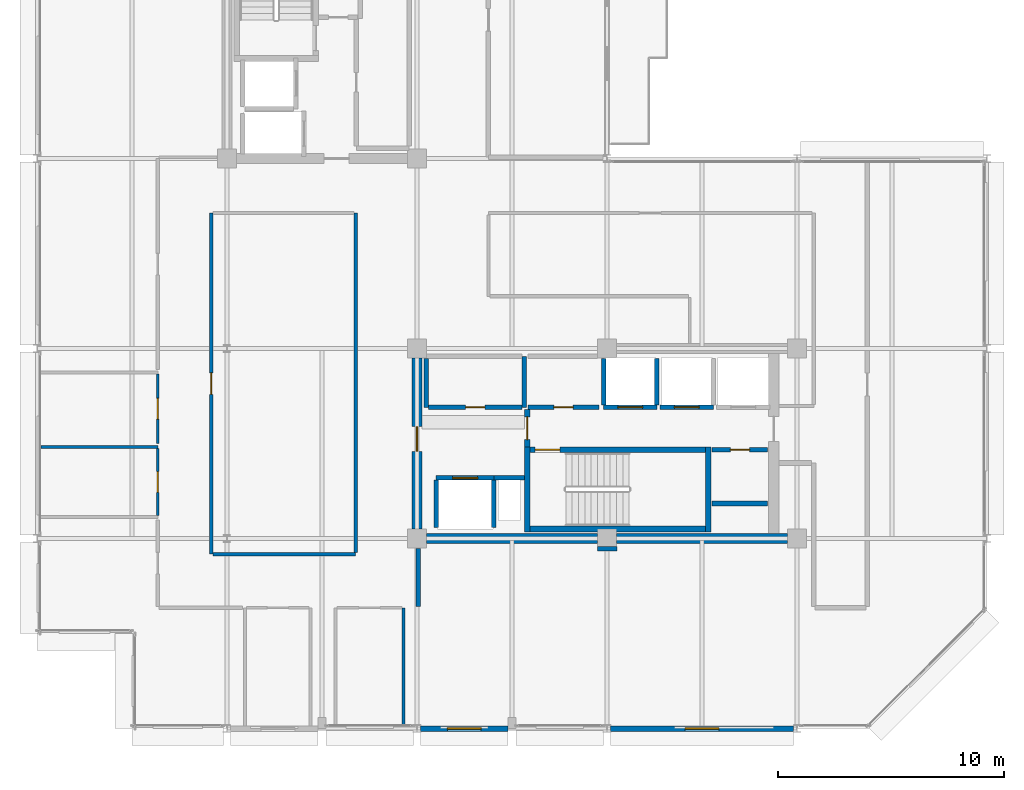
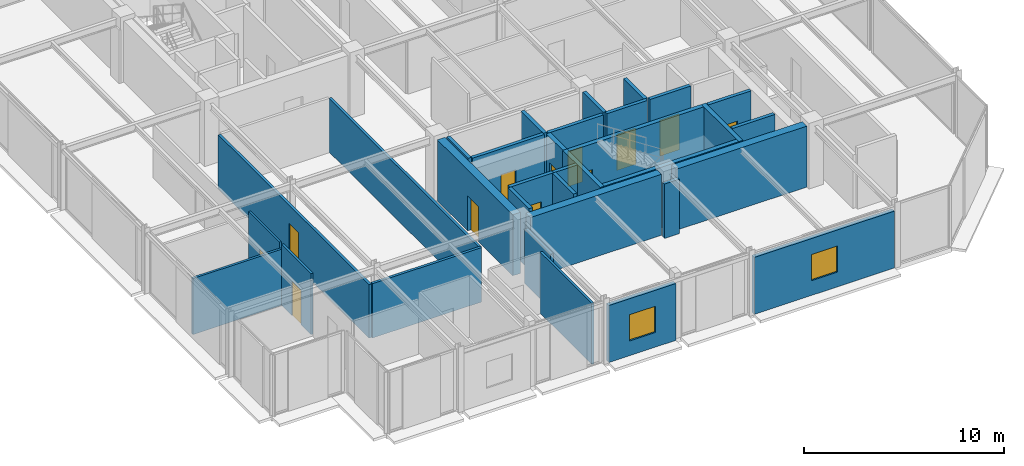
# One storey, part 21 of 27: 33 walls, 12 doors, 2 windows, 14 openings.
"""IFC4 building model written with IfcOpenShell, lengths in metres."""

from ifc_helpers import new_model, si_unit, direction, frame, frame_2d, origin, place, context, subcontext, project, spatial, rectangle, extrude, material, layer, layer_set, type_object, element, fill, save


model = new_model("IFC4")

# Units and contexts
model_context = context("Model", 3, precision=1e-05, world=origin(), true_north=direction((0.0, 1.0)))
body_context = subcontext(model_context, "Body", "Model", "MODEL_VIEW")
ifc_project = project(units=[si_unit("LENGTHUNIT", "METRE"), si_unit("AREAUNIT", "SQUARE_METRE"), si_unit("VOLUMEUNIT", "CUBIC_METRE"), si_unit("PLANEANGLEUNIT", "RADIAN"), si_unit("MASSUNIT", "GRAM", prefix="KILO")], contexts=[model_context])

# Site, building, storey
site_placement = place(None, origin())
site = spatial("IfcSite", under=ifc_project, at=site_placement, CompositionType="ELEMENT")
building_placement = place(site_placement, origin())
building = spatial("IfcBuilding", under=site, at=building_placement, Name="Nerrivon Quay Data Exchange", CompositionType="ELEMENT")
storey_placement = place(building_placement, frame((0.0, 0.0, 278.199951171875)))
storey = spatial("IfcBuildingStorey", under=building, at=storey_placement, Name="L66", CompositionType="ELEMENT", Elevation=278.199951171875)

# Wall, opening, window
ifc_material_1 = material(Name="Architectural terracotta precast concrete N50 (50 MPa)", Category="masonry")
ifc_layer_1 = layer(ifc_material_1, 0.239990234375)
ifc_layer_set_1 = layer_set([ifc_layer_1], Name="Architectural terracotta precast concrete N50 (50 MPa)")
wall_type_1 = type_object("IfcWallType", Name="EW-PREC-240", PredefinedType="STANDARD", material=ifc_layer_set_1)
wall_1_placement = place(storey_placement, frame((33.444580078125, 0.0, 0.0), z_axis=(0.0, 0.0, 1.0), x_axis=(-1.0, 0.0, 0.0)))
wall_1 = element("IfcWall", 1, at=wall_1_placement, inside=storey, type_object=wall_type_1, Name="L66 Podium Precast Spandrel Wall 3", PredefinedType="STANDARD", context=body_context, shape_type="SweptSolid", body=[
    extrude(rectangle(XDim=8.089111328125, YDim=0.239990234375, at=frame_2d((4.04443359375, 0.0))), origin(), (0.0, 0.0, 1.0), 3.47509765625),
])
opening_1_placement = place(wall_1_placement, frame((3.29443359375, 0.0, 0.89990234375)))
opening_1 = element("IfcOpeningElement", 2, at=opening_1_placement, cuts=wall_1, Name="Opening WN4", PredefinedType="OPENING", context=body_context, shape_type="SweptSolid", body=[
    extrude(rectangle(XDim=1.5, YDim=1.60009765625, at=frame_2d((0.75, 0.800048828125))), frame((0.0, 0.1298828125, 0.0), z_axis=(0.0, -1.0, 0.0), x_axis=(1.0, 0.0, 0.0)), (0.0, 0.0, 1.0), 0.260009765625),
])
ifc_material_2 = material(Name="Double-glazed low-E solar control glass", Category="glass")
window_type = type_object("IfcWindowType", Name="WIN-W4-1500x1600", PartitioningType="SINGLE_PANEL", PredefinedType="WINDOW", material=ifc_material_2)
window_1_placement = place(opening_1_placement, origin())
window_1 = element("IfcWindow", 3, at=window_1_placement, inside=storey, type_object=window_type, Name="L66 Solar Facade Window 3", OverallHeight=1.60009765625, OverallWidth=1.5, PartitioningType="SINGLE_PANEL", PredefinedType="WINDOW", context=body_context, shape_type="SweptSolid", body=[
    extrude(rectangle(XDim=1.5, YDim=1.60009765625, at=frame_2d((0.75, 0.800048828125))), frame((0.0, 0.030029296875, 0.0), z_axis=(0.0, -1.0, 0.0), x_axis=(1.0, 0.0, 0.0)), (0.0, 0.0, 1.0), 0.06005859375),
])
fill(opening_1, window_1)

wall_2_placement = place(storey_placement, frame((20.824951171875, 0.0, 0.0), z_axis=(0.0, 0.0, 1.0), x_axis=(-1.0, 0.0, 0.0)))
wall_2 = element("IfcWall", 4, at=wall_2_placement, inside=storey, type_object=wall_type_1, Name="L66 Podium Precast Spandrel Wall 5", PredefinedType="STANDARD", context=body_context, shape_type="SweptSolid", body=[
    extrude(rectangle(XDim=3.869384765625, YDim=0.239990234375, at=frame_2d((1.9345703125, 0.0))), origin(), (0.0, 0.0, 1.0), 3.47509765625),
])
opening_2_placement = place(wall_2_placement, frame((1.184814453125, 0.0, 0.89990234375)))
opening_2 = element("IfcOpeningElement", 5, at=opening_2_placement, cuts=wall_2, Name="Opening WN4", PredefinedType="OPENING", context=body_context, shape_type="SweptSolid", body=[
    extrude(rectangle(XDim=1.5, YDim=1.60009765625, at=frame_2d((0.75, 0.800048828125))), frame((0.0, 0.1298828125, 0.0), z_axis=(0.0, -1.0, 0.0), x_axis=(1.0, 0.0, 0.0)), (0.0, 0.0, 1.0), 0.260009765625),
])
window_2_placement = place(opening_2_placement, origin())
window_2 = element("IfcWindow", 6, at=window_2_placement, inside=storey, type_object=window_type, Name="L66 Solar Facade Window 5", OverallHeight=1.60009765625, OverallWidth=1.5, PartitioningType="SINGLE_PANEL", PredefinedType="WINDOW", context=body_context, shape_type="SweptSolid", body=[
    extrude(rectangle(XDim=1.5, YDim=1.60009765625, at=frame_2d((0.75, 0.800048828125))), frame((0.0, 0.030029296875, 0.0), z_axis=(0.0, -1.0, 0.0), x_axis=(1.0, 0.0, 0.0)), (0.0, 0.0, 1.0), 0.06005859375),
])
fill(opening_2, window_2)

# Walls
ifc_material_3 = material(Name="Concrete N50 (50 MPa)", Category="concrete")
ifc_layer_2 = layer(ifc_material_3, 0.449951171875)
ifc_layer_set_2 = layer_set([ifc_layer_2], Name="Concrete N50 (50 MPa)")
wall_type_2 = type_object("IfcWallType", Name="WALL-CW-550", PredefinedType="SHEAR", material=ifc_layer_set_2)
wall_3_placement = place(storey_placement, frame((17.22509765625, 8.39990234375, 0.0), z_axis=(0.0, 0.0, 1.0), x_axis=(1.0, 0.0, 0.0)))
element("IfcWall", 7, at=wall_3_placement, inside=storey, type_object=wall_type_2, Name="L66 East Split-Core Shear Wall ECW-S1", PredefinedType="SHEAR", context=body_context, shape_type="SweptSolid", body=[
    extrude(rectangle(XDim=7.5498046875, YDim=0.449951171875, at=frame_2d((3.77490234375, 0.0))), origin(), (0.0, 0.0, 1.0), 3.72509765625),
])
wall_4_placement = place(storey_placement, frame((25.625, 8.39990234375, 0.0), z_axis=(0.0, 0.0, 1.0), x_axis=(1.0, 0.0, 0.0)))
element("IfcWall", 8, at=wall_4_placement, inside=storey, type_object=wall_type_2, Name="L66 East Split-Core Shear Wall ECW-S2", PredefinedType="SHEAR", context=body_context, shape_type="SweptSolid", body=[
    extrude(rectangle(XDim=7.550048828125, YDim=0.449951171875, at=frame_2d((3.77490234375, 0.0))), origin(), (0.0, 0.0, 1.0), 3.72509765625),
])

# Wall, opening, door
wall_5_placement = place(storey_placement, frame((16.800048828125, 8.824951171875, 0.0), z_axis=(0.0, 0.0, 1.0), x_axis=(0.0, 1.0, 0.0)))
wall_5 = element("IfcWall", 9, at=wall_5_placement, inside=storey, type_object=wall_type_2, Name="L66 East Split-Core Shear Wall ECW-W1", PredefinedType="SHEAR", context=body_context, shape_type="SweptSolid", body=[
    extrude(rectangle(XDim=7.550048828125, YDim=0.449951171875, at=frame_2d((3.77490234375, 0.0))), origin(), (0.0, 0.0, 1.0), 3.72509765625),
])
opening_3_placement = place(wall_5_placement, frame((3.425048828125, 0.0, 0.0)))
opening_3 = element("IfcOpeningElement", 10, at=opening_3_placement, cuts=wall_5, Name="Opening FD-120", PredefinedType="OPENING", context=body_context, shape_type="SweptSolid", body=[
    extrude(rectangle(XDim=1.10009765625, YDim=2.14990234375, at=frame_2d((0.550048828125, 1.074951171875))), frame((0.0, 0.23486328125, 0.0), z_axis=(0.0, -1.0, 0.0), x_axis=(1.0, 0.0, 0.0)), (0.0, 0.0, 1.0), 0.469970703125),
])
ifc_material_4 = material(Name="Powder-coated galvanized steel sheet", Category="steel")
door_type_1 = type_object("IfcDoorType", Name="DR-FD120-1100", OperationType="NOTDEFINED", PredefinedType="DOOR", material=ifc_material_4)
door_1_placement = place(opening_3_placement, origin())
door_1 = element("IfcDoor", 11, at=door_1_placement, inside=storey, type_object=door_type_1, Name="L66 East Core Lobby Fire Door", OperationType="SINGLE_SWING_LEFT", OverallHeight=2.14990234375, OverallWidth=1.10009765625, PredefinedType="DOOR", context=body_context, shape_type="SweptSolid", body=[
    extrude(rectangle(XDim=1.10009765625, YDim=2.14990234375, at=frame_2d((0.550048828125, 1.074951171875))), frame((0.0, 0.02490234375, 0.0), z_axis=(0.0, -1.0, 0.0), x_axis=(1.0, 0.0, 0.0)), (0.0, 0.0, 1.0), 0.050048828125),
])
fill(opening_3, door_1)

# Wall
ifc_material_5 = material(Name="Gypsum plasterboard on cold-formed framing", Category="gypsum")
ifc_layer_3 = layer(ifc_material_5, 0.199951171875)
ifc_layer_set_3 = layer_set([ifc_layer_3], Name="Gypsum plasterboard on cold-formed framing")
wall_type_3 = type_object("IfcWallType", Name="WALL-FW-200", PredefinedType="PARTITIONING", material=ifc_layer_set_3)
wall_6_placement = place(storey_placement, frame((20.199951171875, 11.080078125, 0.0), z_axis=(0.0, 0.0, 1.0), x_axis=(1.0, 0.0, 0.0)))
element("IfcWall", 12, at=wall_6_placement, inside=storey, type_object=wall_type_3, Name="L66 East Core MEP Riser Shaft Wall N", PredefinedType="PARTITIONING", context=body_context, shape_type="SweptSolid", body=[
    extrude(rectangle(XDim=1.35009765625, YDim=0.199951171875, at=frame_2d((0.675048828125, 0.0))), origin(), (0.0, 0.0, 1.0), 3.72509765625),
])

# Wall, opening, door
wall_7_placement = place(storey_placement, frame((17.64990234375, 11.080078125, 0.0), z_axis=(0.0, 0.0, 1.0), x_axis=(1.0, 0.0, 0.0)))
wall_7 = element("IfcWall", 13, at=wall_7_placement, inside=storey, type_object=wall_type_3, Name="L66 Lift Front Wall FFL-2", PredefinedType="PARTITIONING", context=body_context, shape_type="SweptSolid", body=[
    extrude(rectangle(XDim=2.550048828125, YDim=0.199951171875, at=frame_2d((1.27490234375, 0.0))), origin(), (0.0, 0.0, 1.0), 3.72509765625),
])
opening_4_placement = place(wall_7_placement, frame((0.72509765625, 0.0, 0.0)))
opening_4 = element("IfcOpeningElement", 14, at=opening_4_placement, cuts=wall_7, Name="Opening LD-120", PredefinedType="OPENING", context=body_context, shape_type="SweptSolid", body=[
    extrude(rectangle(XDim=1.10009765625, YDim=2.199951171875, at=frame_2d((0.550048828125, 1.10009765625))), frame((0.0, 0.10986328125, 0.0), z_axis=(0.0, -1.0, 0.0), x_axis=(1.0, 0.0, 0.0)), (0.0, 0.0, 1.0), 0.219970703125),
])
door_type_2 = type_object("IfcDoorType", Name="DR-LIFT-LD120", OperationType="DOUBLE_DOOR_SLIDING", PredefinedType="DOOR", material=ifc_material_4)
door_2_placement = place(opening_4_placement, origin())
door_2 = element("IfcDoor", 15, at=door_2_placement, inside=storey, type_object=door_type_2, Name="L66 Lift Landing Sliding Door FFL-2", OperationType="DOUBLE_DOOR_SLIDING", OverallHeight=2.199951171875, OverallWidth=1.10009765625, PredefinedType="DOOR", context=body_context, shape_type="SweptSolid", body=[
    extrude(rectangle(XDim=1.10009765625, YDim=2.199951171875, at=frame_2d((0.550048828125, 1.10009765625))), frame((0.0, 0.02490234375, 0.0), z_axis=(0.0, -1.0, 0.0), x_axis=(1.0, 0.0, 0.0)), (0.0, 0.0, 1.0), 0.050048828125),
])
fill(opening_4, door_2)

# Walls
for number, where, z_axis, x_axis, name in (
    (16, (20.199951171875, 8.8798828125, 0.0), (0.0, 0.0, 1.0), (0.0, 1.0, 0.0), "L66 Lift Shaft Wall FFL-2 EAST"),
    (17, (17.64990234375, 8.8798828125, 0.0), (0.0, 0.0, 1.0), (0.0, 1.0, 0.0), "L66 Lift Shaft Wall FFL-2 WEST"),
):
    element("IfcWall", number, at=place(storey_placement, frame(where, z_axis=z_axis, x_axis=x_axis)), inside=storey, type_object=wall_type_3, Name=name, PredefinedType="PARTITIONING", context=body_context, shape_type="SweptSolid", body=[
        extrude(rectangle(XDim=2.10009765625, YDim=0.199951171875, at=frame_2d((1.050048828125, 0.0))), origin(), (0.0, 0.0, 1.0), 3.72509765625),
    ])

# Wall, opening, door
wall_8_placement = place(storey_placement, frame((25.050048828125, 14.199951171875, 0.0), z_axis=(0.0, 0.0, 1.0), x_axis=(1.0, 0.0, 0.0)))
wall_8 = element("IfcWall", 18, at=wall_8_placement, inside=storey, type_object=wall_type_3, Name="L66 Lift Front Wall PL7", PredefinedType="PARTITIONING", context=body_context, shape_type="SweptSolid", body=[
    extrude(rectangle(XDim=2.349853515625, YDim=0.199951171875, at=frame_2d((1.1748046875, 0.0))), origin(), (0.0, 0.0, 1.0), 3.72509765625),
])
opening_5_placement = place(wall_8_placement, frame((0.625, 0.0, 0.0)))
opening_5 = element("IfcOpeningElement", 19, at=opening_5_placement, cuts=wall_8, Name="Opening LD-120", PredefinedType="OPENING", context=body_context, shape_type="SweptSolid", body=[
    extrude(rectangle(XDim=1.10009765625, YDim=2.199951171875, at=frame_2d((0.550048828125, 1.10009765625))), frame((0.0, 0.10986328125, 0.0), z_axis=(0.0, -1.0, 0.0), x_axis=(1.0, 0.0, 0.0)), (0.0, 0.0, 1.0), 0.219970703125),
])
door_3_placement = place(opening_5_placement, origin())
door_3 = element("IfcDoor", 20, at=door_3_placement, inside=storey, type_object=door_type_2, Name="L66 Lift Landing Sliding Door PL7", OperationType="DOUBLE_DOOR_SLIDING", OverallHeight=2.199951171875, OverallWidth=1.10009765625, PredefinedType="DOOR", context=body_context, shape_type="SweptSolid", body=[
    extrude(rectangle(XDim=1.10009765625, YDim=2.199951171875, at=frame_2d((0.550048828125, 1.10009765625))), frame((0.0, 0.02490234375, 0.0), z_axis=(0.0, -1.0, 0.0), x_axis=(1.0, 0.0, 0.0)), (0.0, 0.0, 1.0), 0.050048828125),
])
fill(opening_5, door_3)

# Walls
for number, where, z_axis, x_axis, name in (
    (21, (27.39990234375, 14.300048828125, 0.0), (0.0, 0.0, 1.0), (0.0, 1.0, 0.0), "L66 Lift Shaft Wall PL7 EAST"),
    (22, (25.050048828125, 14.300048828125, 0.0), (0.0, 0.0, 1.0), (0.0, 1.0, 0.0), "L66 Lift Shaft Wall PL7 WEST"),
):
    element("IfcWall", number, at=place(storey_placement, frame(where, z_axis=z_axis, x_axis=x_axis)), inside=storey, type_object=wall_type_3, Name=name, PredefinedType="PARTITIONING", context=body_context, shape_type="SweptSolid", body=[
        extrude(rectangle(XDim=2.050048828125, YDim=0.199951171875, at=frame_2d((1.02490234375, 0.0))), origin(), (0.0, 0.0, 1.0), 3.72509765625),
    ])

# Wall, opening, door
wall_9_placement = place(storey_placement, frame((27.550048828125, 14.199951171875, 0.0), z_axis=(0.0, 0.0, 1.0), x_axis=(1.0, 0.0, 0.0)))
wall_9 = element("IfcWall", 23, at=wall_9_placement, inside=storey, type_object=wall_type_3, Name="L66 Lift Front Wall PL8", PredefinedType="PARTITIONING", context=body_context, shape_type="SweptSolid", body=[
    extrude(rectangle(XDim=2.349853515625, YDim=0.199951171875, at=frame_2d((1.1748046875, 0.0))), origin(), (0.0, 0.0, 1.0), 3.72509765625),
])
opening_6_placement = place(wall_9_placement, frame((0.625, 0.0, 0.0)))
opening_6 = element("IfcOpeningElement", 24, at=opening_6_placement, cuts=wall_9, Name="Opening LD-120", PredefinedType="OPENING", context=body_context, shape_type="SweptSolid", body=[
    extrude(rectangle(XDim=1.10009765625, YDim=2.199951171875, at=frame_2d((0.550048828125, 1.10009765625))), frame((0.0, 0.10986328125, 0.0), z_axis=(0.0, -1.0, 0.0), x_axis=(1.0, 0.0, 0.0)), (0.0, 0.0, 1.0), 0.219970703125),
])
door_4_placement = place(opening_6_placement, origin())
door_4 = element("IfcDoor", 25, at=door_4_placement, inside=storey, type_object=door_type_2, Name="L66 Lift Landing Sliding Door PL8", OperationType="DOUBLE_DOOR_SLIDING", OverallHeight=2.199951171875, OverallWidth=1.10009765625, PredefinedType="DOOR", context=body_context, shape_type="SweptSolid", body=[
    extrude(rectangle(XDim=1.10009765625, YDim=2.199951171875, at=frame_2d((0.550048828125, 1.10009765625))), frame((0.0, 0.02490234375, 0.0), z_axis=(0.0, -1.0, 0.0), x_axis=(1.0, 0.0, 0.0)), (0.0, 0.0, 1.0), 0.050048828125),
])
fill(opening_6, door_4)

# Walls
wall_10_placement = place(storey_placement, frame((21.550048828125, 14.199951171875, 0.0), z_axis=(0.0, 0.0, 1.0), x_axis=(0.0, 1.0, 0.0)))
element("IfcWall", 26, at=wall_10_placement, inside=storey, type_object=wall_type_3, Name="L66 Partition High-Zone Calibration Store", PredefinedType="PARTITIONING", context=body_context, shape_type="SweptSolid", body=[
    extrude(rectangle(XDim=2.25, YDim=0.199951171875, at=frame_2d((1.125, 0.0))), origin(), (0.0, 0.0, 1.0), 3.72509765625),
])
wall_11_placement = place(storey_placement, frame((17.199951171875, 16.3701171875, 0.0), z_axis=(0.0, 0.0, 1.0), x_axis=(0.0, -1.0, 0.0)))
element("IfcWall", 27, at=wall_11_placement, inside=storey, type_object=wall_type_3, Name="L66 Partition High-Zone Calibration Store", PredefinedType="PARTITIONING", context=body_context, shape_type="SweptSolid", body=[
    extrude(rectangle(XDim=2.170166015625, YDim=0.199951171875, at=frame_2d((1.0849609375, 0.0))), origin(), (0.0, 0.0, 1.0), 3.72509765625),
])

# Wall, opening, door
wall_12_placement = place(storey_placement, frame((17.303955078125, 14.199951171875, 0.0), z_axis=(0.0, 0.0, 1.0), x_axis=(1.0, 0.0, 0.0)))
wall_12 = element("IfcWall", 28, at=wall_12_placement, inside=storey, type_object=wall_type_3, Name="L66 Partition High-Zone Calibration Store", PredefinedType="PARTITIONING", context=body_context, shape_type="SweptSolid", body=[
    extrude(rectangle(XDim=4.14208984375, YDim=0.199951171875, at=frame_2d((2.071044921875, 0.0))), origin(), (0.0, 0.0, 1.0), 3.72509765625),
])
opening_7_placement = place(wall_12_placement, frame((1.64599609375, 0.0, 0.0)))
opening_7 = element("IfcOpeningElement", 29, at=opening_7_placement, cuts=wall_12, Name="Opening FD-60S", PredefinedType="OPENING", context=body_context, shape_type="SweptSolid", body=[
    extrude(rectangle(XDim=0.85009765625, YDim=2.14990234375, at=frame_2d((0.425048828125, 1.074951171875))), frame((0.0, 0.10986328125, 0.0), z_axis=(0.0, -1.0, 0.0), x_axis=(1.0, 0.0, 0.0)), (0.0, 0.0, 1.0), 0.219970703125),
])
ifc_material_6 = material(Name="Engineered hardwood timber", Category="wood")
door_type_3 = type_object("IfcDoorType", Name="DR-FD60-850", OperationType="NOTDEFINED", PredefinedType="DOOR", material=ifc_material_6)
door_5_placement = place(opening_7_placement, origin())
door_5 = element("IfcDoor", 30, at=door_5_placement, inside=storey, type_object=door_type_3, Name="L66 Door High-Zone Calibration Store", OperationType="SINGLE_SWING_RIGHT", OverallHeight=2.14990234375, OverallWidth=0.85009765625, PredefinedType="DOOR", context=body_context, shape_type="SweptSolid", body=[
    extrude(rectangle(XDim=0.85009765625, YDim=2.14990234375, at=frame_2d((0.425048828125, 1.074951171875))), frame((0.0, 0.02490234375, 0.0), z_axis=(0.0, -1.0, 0.0), x_axis=(1.0, 0.0, 0.0)), (0.0, 0.0, 1.0), 0.050048828125),
])
fill(opening_7, door_5)

wall_13_placement = place(storey_placement, frame((21.699951171875, 14.199951171875, 0.0), z_axis=(0.0, 0.0, 1.0), x_axis=(1.0, 0.0, 0.0)))
wall_13 = element("IfcWall", 31, at=wall_13_placement, inside=storey, type_object=wall_type_3, Name="L66 Partition High-Zone Network Closet", PredefinedType="PARTITIONING", context=body_context, shape_type="SweptSolid", body=[
    extrude(rectangle(XDim=3.150146484375, YDim=0.199951171875, at=frame_2d((1.5751953125, 0.0))), origin(), (0.0, 0.0, 1.0), 3.72509765625),
])
opening_8_placement = place(wall_13_placement, frame((1.14990234375, 0.0, 0.0)))
opening_8 = element("IfcOpeningElement", 32, at=opening_8_placement, cuts=wall_13, Name="Opening FD-60S", PredefinedType="OPENING", context=body_context, shape_type="SweptSolid", body=[
    extrude(rectangle(XDim=0.85009765625, YDim=2.14990234375, at=frame_2d((0.425048828125, 1.074951171875))), frame((0.0, 0.10986328125, 0.0), z_axis=(0.0, -1.0, 0.0), x_axis=(1.0, 0.0, 0.0)), (0.0, 0.0, 1.0), 0.219970703125),
])
door_6_placement = place(opening_8_placement, origin())
door_6 = element("IfcDoor", 33, at=door_6_placement, inside=storey, type_object=door_type_3, Name="L66 Door High-Zone Network Closet", OperationType="SINGLE_SWING_LEFT", OverallHeight=2.14990234375, OverallWidth=0.85009765625, PredefinedType="DOOR", context=body_context, shape_type="SweptSolid", body=[
    extrude(rectangle(XDim=0.85009765625, YDim=2.14990234375, at=frame_2d((0.425048828125, 1.074951171875))), frame((0.0, 0.02490234375, 0.0), z_axis=(0.0, -1.0, 0.0), x_axis=(1.0, 0.0, 0.0)), (0.0, 0.0, 1.0), 0.050048828125),
])
fill(opening_8, door_6)

wall_14_placement = place(storey_placement, frame((32.300048828125, 12.330078125, 0.0), z_axis=(0.0, 0.0, 1.0), x_axis=(-1.0, 0.0, 0.0)))
wall_14 = element("IfcWall", 34, at=wall_14_placement, inside=storey, type_object=wall_type_3, Name="L66 Partition East Supply Store", PredefinedType="PARTITIONING", context=body_context, shape_type="SweptSolid", body=[
    extrude(rectangle(XDim=2.449951171875, YDim=0.199951171875, at=frame_2d((1.22509765625, 0.0))), origin(), (0.0, 0.0, 1.0), 3.72509765625),
])
opening_9_placement = place(wall_14_placement, frame((0.800048828125, 0.0, 0.0)))
opening_9 = element("IfcOpeningElement", 35, at=opening_9_placement, cuts=wall_14, Name="Opening FD-60S", PredefinedType="OPENING", context=body_context, shape_type="SweptSolid", body=[
    extrude(rectangle(XDim=0.85009765625, YDim=2.14990234375, at=frame_2d((0.425048828125, 1.074951171875))), frame((0.0, 0.10986328125, 0.0), z_axis=(0.0, -1.0, 0.0), x_axis=(1.0, 0.0, 0.0)), (0.0, 0.0, 1.0), 0.219970703125),
])
door_7_placement = place(opening_9_placement, origin())
door_7 = element("IfcDoor", 36, at=door_7_placement, inside=storey, type_object=door_type_3, Name="L66 Door East Supply Store", OperationType="SINGLE_SWING_RIGHT", OverallHeight=2.14990234375, OverallWidth=0.85009765625, PredefinedType="DOOR", context=body_context, shape_type="SweptSolid", body=[
    extrude(rectangle(XDim=0.85009765625, YDim=2.14990234375, at=frame_2d((0.425048828125, 1.074951171875))), frame((0.0, 0.02490234375, 0.0), z_axis=(0.0, -1.0, 0.0), x_axis=(1.0, 0.0, 0.0)), (0.0, 0.0, 1.0), 0.050048828125),
])
fill(opening_9, door_7)

# Walls
wall_15_placement = place(storey_placement, frame((29.85009765625, 9.949951171875, 0.0), z_axis=(0.0, 0.0, 1.0), x_axis=(1.0, 0.0, 0.0)))
element("IfcWall", 37, at=wall_15_placement, inside=storey, type_object=wall_type_3, Name="L66 Partition East Supply Store", PredefinedType="PARTITIONING", context=body_context, shape_type="SweptSolid", body=[
    extrude(rectangle(XDim=2.449951171875, YDim=0.199951171875, at=frame_2d((1.22509765625, 0.0))), origin(), (0.0, 0.0, 1.0), 3.72509765625),
])
wall_16_placement = place(storey_placement, frame((25.630859375, 7.955810546875, 0.0), z_axis=(0.0, 0.0, 1.0), x_axis=(-0.99999963391, -0.000855675671, 0.0)))
element("IfcWall", 38, at=wall_16_placement, inside=storey, type_object=wall_type_3, Name="L66 Partition Colocation Data Workspace 1", PredefinedType="PARTITIONING", context=body_context, shape_type="SweptSolid", body=[
    extrude(rectangle(XDim=0.85595703125, YDim=0.199951171875, at=frame_2d((0.427978515625, 0.0))), origin(), (0.0, 0.0, 1.0), 3.319091796875),
])
wall_17_placement = place(storey_placement, frame((16.860107421875, 7.955078125, 0.0), z_axis=(0.0, 0.0, 1.0), x_axis=(0.0, -1.0, 0.0)))
element("IfcWall", 39, at=wall_17_placement, inside=storey, type_object=wall_type_3, Name="L66 Partition Colocation Data Workspace 1", PredefinedType="PARTITIONING", context=body_context, shape_type="SweptSolid", body=[
    extrude(rectangle(XDim=2.55517578125, YDim=0.199951171875, at=frame_2d((1.277587890625, 0.0))), origin(), (0.0, 0.0, 1.0), 3.319091796875),
])

# Wall, opening, door
ifc_layer_4 = layer(ifc_material_5, 0.1201171875)
ifc_layer_set_4 = layer_set([ifc_layer_4], Name="Gypsum plasterboard on cold-formed framing")
wall_type_4 = type_object("IfcWallType", Name="WALL-PT-120", PredefinedType="PARTITIONING", material=ifc_layer_set_4)
wall_18_placement = place(storey_placement, frame((5.340087890625, 9.42138671875, 0.0), z_axis=(0.0, 0.0, 1.0), x_axis=(0.0, 1.0, 0.0)))
wall_18 = element("IfcWall", 40, at=wall_18_placement, inside=storey, type_object=wall_type_4, Name="L66 Partition Accessible Toilet", PredefinedType="PARTITIONING", context=body_context, shape_type="SweptSolid", body=[
    extrude(rectangle(XDim=2.95703125, YDim=0.1201171875, at=frame_2d((1.478515625, 0.0))), origin(), (0.0, 0.0, 1.0), 3.72509765625),
])
opening_10_placement = place(wall_18_placement, frame((1.0185546875, 0.0, 0.0)))
opening_10 = element("IfcOpeningElement", 41, at=opening_10_placement, cuts=wall_18, Name="Opening D-WC", PredefinedType="OPENING", context=body_context, shape_type="SweptSolid", body=[
    extrude(rectangle(XDim=0.919921875, YDim=2.10009765625, at=frame_2d((0.4599609375, 1.050048828125))), frame((0.0, 0.070068359375, 0.0), z_axis=(0.0, -1.0, 0.0), x_axis=(1.0, 0.0, 0.0)), (0.0, 0.0, 1.0), 0.14013671875),
])
door_type_4 = type_object("IfcDoorType", Name="DR-WC-920", OperationType="NOTDEFINED", PredefinedType="DOOR", material=ifc_material_6)
door_8_placement = place(opening_10_placement, origin())
door_8 = element("IfcDoor", 42, at=door_8_placement, inside=storey, type_object=door_type_4, Name="L66 Door Accessible Toilet", OperationType="SINGLE_SWING_LEFT", OverallHeight=2.10009765625, OverallWidth=0.919921875, PredefinedType="DOOR", context=body_context, shape_type="SweptSolid", body=[
    extrude(rectangle(XDim=0.919921875, YDim=2.10009765625, at=frame_2d((0.4599609375, 1.050048828125))), frame((0.0, 0.02490234375, 0.0), z_axis=(0.0, -1.0, 0.0), x_axis=(1.0, 0.0, 0.0)), (0.0, 0.0, 1.0), 0.050048828125),
])
fill(opening_10, door_8)

wall_19_placement = place(storey_placement, frame((5.340087890625, 12.60009765625, 0.0), z_axis=(0.0, 0.0, 1.0), x_axis=(0.0, 1.0, 0.0)))
wall_19 = element("IfcWall", 43, at=wall_19_placement, inside=storey, type_object=wall_type_4, Name="L66 Partition Public Washrooms", PredefinedType="PARTITIONING", context=body_context, shape_type="SweptSolid", body=[
    extrude(rectangle(XDim=3.078369140625, YDim=0.1201171875, at=frame_2d((1.5390625, 0.0))), origin(), (0.0, 0.0, 1.0), 3.72509765625),
])
opening_11_placement = place(wall_19_placement, frame((1.079345703125, 0.0, 0.0)))
opening_11 = element("IfcOpeningElement", 44, at=opening_11_placement, cuts=wall_19, Name="Opening D-WC", PredefinedType="OPENING", context=body_context, shape_type="SweptSolid", body=[
    extrude(rectangle(XDim=0.919921875, YDim=2.10009765625, at=frame_2d((0.4599609375, 1.050048828125))), frame((0.0, 0.070068359375, 0.0), z_axis=(0.0, -1.0, 0.0), x_axis=(1.0, 0.0, 0.0)), (0.0, 0.0, 1.0), 0.14013671875),
])
door_9_placement = place(opening_11_placement, origin())
door_9 = element("IfcDoor", 45, at=door_9_placement, inside=storey, type_object=door_type_4, Name="L66 Door Public Washrooms", OperationType="SINGLE_SWING_RIGHT", OverallHeight=2.10009765625, OverallWidth=0.919921875, PredefinedType="DOOR", context=body_context, shape_type="SweptSolid", body=[
    extrude(rectangle(XDim=0.919921875, YDim=2.10009765625, at=frame_2d((0.4599609375, 1.050048828125))), frame((0.0, 0.02490234375, 0.0), z_axis=(0.0, -1.0, 0.0), x_axis=(1.0, 0.0, 0.0)), (0.0, 0.0, 1.0), 0.050048828125),
])
fill(opening_11, door_9)

# Walls
ifc_layer_5 = layer(ifc_material_5, 0.135009765625)
ifc_layer_set_5 = layer_set([ifc_layer_5], Name="Gypsum plasterboard on cold-formed framing")
wall_type_5 = type_object("IfcWallType", Name="WALL-PT-135", PredefinedType="PARTITIONING", material=ifc_layer_set_5)
wall_20_placement = place(storey_placement, frame((5.340087890625, 12.449951171875, 0.0), z_axis=(0.0, 0.0, 1.0), x_axis=(-1.0, 0.0, 0.0)))
element("IfcWall", 46, at=wall_20_placement, inside=storey, type_object=wall_type_5, Name="L66 Partition Accessible Toilet", PredefinedType="PARTITIONING", context=body_context, shape_type="SweptSolid", body=[
    extrude(rectangle(XDim=5.171142578125, YDim=0.135009765625, at=frame_2d((2.58544921875, 0.0))), origin(), (0.0, 0.0, 1.0), 3.421142578125),
])
wall_21_placement = place(storey_placement, frame((16.199951171875, 0.1689453125, 0.0), z_axis=(0.0, 0.0, 1.0), x_axis=(0.0, 1.0, 0.0)))
element("IfcWall", 47, at=wall_21_placement, inside=storey, type_object=wall_type_5, Name="L66 Partition Accessible Unisex Toilet", PredefinedType="PARTITIONING", context=body_context, shape_type="SweptSolid", body=[
    extrude(rectangle(XDim=5.171142578125, YDim=0.135009765625, at=frame_2d((2.58544921875, 0.0))), origin(), (0.0, 0.0, 1.0), 3.72509765625),
])

# Wall, opening, door
ifc_layer_6 = layer(ifc_material_5, 0.14990234375)
ifc_layer_set_6 = layer_set([ifc_layer_6], Name="Gypsum plasterboard on cold-formed framing")
wall_type_6 = type_object("IfcWallType", Name="WALL-PT-150", PredefinedType="PARTITIONING", material=ifc_layer_set_6)
wall_22_placement = place(storey_placement, frame((7.7099609375, 22.7900390625, 0.0), z_axis=(0.0, 0.0, 1.0), x_axis=(0.0, -1.0, 0.0)))
wall_22 = element("IfcWall", 48, at=wall_22_placement, inside=storey, type_object=wall_type_6, Name="L66 Partition Staff Bistro", PredefinedType="PARTITIONING", context=body_context, shape_type="SweptSolid", body=[
    extrude(rectangle(XDim=15.080078125, YDim=0.14990234375, at=frame_2d((7.5400390625, 0.0))), origin(), (0.0, 0.0, 1.0), 3.27099609375),
])
opening_12_placement = place(wall_22_placement, frame((7.06494140625, 0.0, 0.0)))
opening_12 = element("IfcOpeningElement", 49, at=opening_12_placement, cuts=wall_22, Name="Opening D-01", PredefinedType="OPENING", context=body_context, shape_type="SweptSolid", body=[
    extrude(rectangle(XDim=0.949951171875, YDim=2.14990234375, at=frame_2d((0.47509765625, 1.074951171875))), frame((0.0, 0.0849609375, 0.0), z_axis=(0.0, -1.0, 0.0), x_axis=(1.0, 0.0, 0.0)), (0.0, 0.0, 1.0), 0.169921875),
])
door_type_5 = type_object("IfcDoorType", Name="DR-INT-950", OperationType="NOTDEFINED", PredefinedType="DOOR", material=ifc_material_6)
door_10_placement = place(opening_12_placement, origin())
door_10 = element("IfcDoor", 50, at=door_10_placement, inside=storey, type_object=door_type_5, Name="L66 Door Staff Bistro", OperationType="SINGLE_SWING_LEFT", OverallHeight=2.14990234375, OverallWidth=0.949951171875, PredefinedType="DOOR", context=body_context, shape_type="SweptSolid", body=[
    extrude(rectangle(XDim=0.949951171875, YDim=2.14990234375, at=frame_2d((0.47509765625, 1.074951171875))), frame((0.0, 0.02490234375, 0.0), z_axis=(0.0, -1.0, 0.0), x_axis=(1.0, 0.0, 0.0)), (0.0, 0.0, 1.0), 0.050048828125),
])
fill(opening_12, door_10)

# Walls
wall_23_placement = place(storey_placement, frame((7.7890625, 7.7099609375, 0.0), z_axis=(0.0, 0.0, 1.0), x_axis=(1.0, 0.0, 0.0)))
element("IfcWall", 51, at=wall_23_placement, inside=storey, type_object=wall_type_6, Name="L66 Partition Staff Bistro", PredefinedType="PARTITIONING", context=body_context, shape_type="SweptSolid", body=[
    extrude(rectangle(XDim=6.301025390625, YDim=0.14990234375, at=frame_2d((3.150390625, 0.0))), origin(), (0.0, 0.0, 1.0), 3.319091796875),
])
wall_24_placement = place(storey_placement, frame((14.090087890625, 7.7890625, 0.0), z_axis=(0.0, 0.0, 1.0), x_axis=(0.0, 1.0, 0.0)))
element("IfcWall", 52, at=wall_24_placement, inside=storey, type_object=wall_type_6, Name="L66 Partition Staff Bistro", PredefinedType="PARTITIONING", context=body_context, shape_type="SweptSolid", body=[
    extrude(rectangle(XDim=15.0009765625, YDim=0.14990234375, at=frame_2d((7.50048828125, 0.0))), origin(), (0.0, 0.0, 1.0), 3.27099609375),
])
ifc_layer_7 = layer(ifc_material_3, 0.25)
ifc_layer_set_7 = layer_set([ifc_layer_7], Name="Concrete N50 (50 MPa)")
wall_type_7 = type_object("IfcWallType", Name="WALL-SW-250", PredefinedType="SHEAR", material=ifc_layer_set_7)
for number, where, z_axis, x_axis, name in (
    (53, (21.675048828125, 8.699951171875, 0.0), (0.0, 0.0, 1.0), (0.0, 1.0, 0.0), "L66 ST02 Structural Stair Core Wall NEAR"),
    (54, (29.675048828125, 8.699951171875, 0.0), (0.0, 0.0, 1.0), (0.0, 1.0, 0.0), "L66 ST02 Structural Stair Core Wall FAR"),
):
    element("IfcWall", number, at=place(storey_placement, frame(where, z_axis=z_axis, x_axis=x_axis)), inside=storey, type_object=wall_type_7, Name=name, PredefinedType="SHEAR", context=body_context, shape_type="SweptSolid", body=[
        extrude(rectangle(XDim=3.75, YDim=0.25, at=frame_2d((1.875, 0.0))), origin(), (0.0, 0.0, 1.0), 3.72509765625),
    ])
wall_25_placement = place(storey_placement, frame((21.800048828125, 8.824951171875, 0.0), z_axis=(0.0, 0.0, 1.0), x_axis=(1.0, 0.0, 0.0)))
element("IfcWall", 55, at=wall_25_placement, inside=storey, type_object=wall_type_7, Name="L66 ST02 Structural Stair Core Wall LEFT", PredefinedType="SHEAR", context=body_context, shape_type="SweptSolid", body=[
    extrude(rectangle(XDim=7.75, YDim=0.25, at=frame_2d((3.875, 0.0))), origin(), (0.0, 0.0, 1.0), 3.72509765625),
])

# Wall, opening, door
wall_26_placement = place(storey_placement, frame((21.800048828125, 12.324951171875, 0.0), z_axis=(0.0, 0.0, 1.0), x_axis=(1.0, 0.0, 0.0)))
wall_26 = element("IfcWall", 56, at=wall_26_placement, inside=storey, type_object=wall_type_7, Name="L66 ST02 Structural Stair Core Wall RIGHT", PredefinedType="SHEAR", context=body_context, shape_type="SweptSolid", body=[
    extrude(rectangle(XDim=7.75, YDim=0.25, at=frame_2d((3.875, 0.0))), origin(), (0.0, 0.0, 1.0), 3.72509765625),
])
opening_13_placement = place(wall_26_placement, frame((0.219970703125, 0.0, 0.0)))
opening_13 = element("IfcOpeningElement", 57, at=opening_13_placement, cuts=wall_26, Name="Opening FD-120", PredefinedType="OPENING", context=body_context, shape_type="SweptSolid", body=[
    extrude(rectangle(XDim=1.10009765625, YDim=2.14990234375, at=frame_2d((0.550048828125, 1.074951171875))), frame((0.0, 0.135009765625, 0.0), z_axis=(0.0, -1.0, 0.0), x_axis=(1.0, 0.0, 0.0)), (0.0, 0.0, 1.0), 0.27001953125),
])
door_11_placement = place(opening_13_placement, origin())
door_11 = element("IfcDoor", 58, at=door_11_placement, inside=storey, type_object=door_type_1, Name="L66 Protected Stair Door ST02", OperationType="SINGLE_SWING_LEFT", OverallHeight=2.14990234375, OverallWidth=1.10009765625, PredefinedType="DOOR", context=body_context, shape_type="SweptSolid", body=[
    extrude(rectangle(XDim=1.10009765625, YDim=2.14990234375, at=frame_2d((0.550048828125, 1.074951171875))), frame((0.0, 0.02490234375, 0.0), z_axis=(0.0, -1.0, 0.0), x_axis=(1.0, 0.0, 0.0)), (0.0, 0.0, 1.0), 0.050048828125),
])
fill(opening_13, door_11)

wall_27_placement = place(storey_placement, frame((21.679931640625, 12.449951171875, 0.0), z_axis=(0.0, 0.0, 1.0), x_axis=(0.0, 1.0, 0.0)))
wall_27 = element("IfcWall", 59, at=wall_27_placement, inside=storey, type_object=wall_type_7, Name="L66 East Firefighting Lobby Wall", PredefinedType="SHEAR", context=body_context, shape_type="SweptSolid", body=[
    extrude(rectangle(XDim=1.650146484375, YDim=0.25, at=frame_2d((0.8251953125, 0.0))), origin(), (0.0, 0.0, 1.0), 3.72509765625),
])
opening_14_placement = place(wall_27_placement, frame((0.324951171875, 0.0, 0.0)))
opening_14 = element("IfcOpeningElement", 60, at=opening_14_placement, cuts=wall_27, Name="Opening FD-60", PredefinedType="OPENING", context=body_context, shape_type="SweptSolid", body=[
    extrude(rectangle(XDim=1.0, YDim=2.14990234375, at=frame_2d((0.5, 1.074951171875))), frame((0.0, 0.135009765625, 0.0), z_axis=(0.0, -1.0, 0.0), x_axis=(1.0, 0.0, 0.0)), (0.0, 0.0, 1.0), 0.27001953125),
])
door_type_6 = type_object("IfcDoorType", Name="DR-FD60-1000", OperationType="NOTDEFINED", PredefinedType="DOOR", material=ifc_material_6)
door_12_placement = place(opening_14_placement, origin())
door_12 = element("IfcDoor", 61, at=door_12_placement, inside=storey, type_object=door_type_6, Name="L66 East Firefighting Lobby Fire Door", OperationType="SINGLE_SWING_LEFT", OverallHeight=2.14990234375, OverallWidth=1.0, PredefinedType="DOOR", context=body_context, shape_type="SweptSolid", body=[
    extrude(rectangle(XDim=1.0, YDim=2.14990234375, at=frame_2d((0.5, 1.074951171875))), frame((0.0, 0.02490234375, 0.0), z_axis=(0.0, -1.0, 0.0), x_axis=(1.0, 0.0, 0.0)), (0.0, 0.0, 1.0), 0.050048828125),
])
fill(opening_14, door_12)

save(model, "model.ifc")
